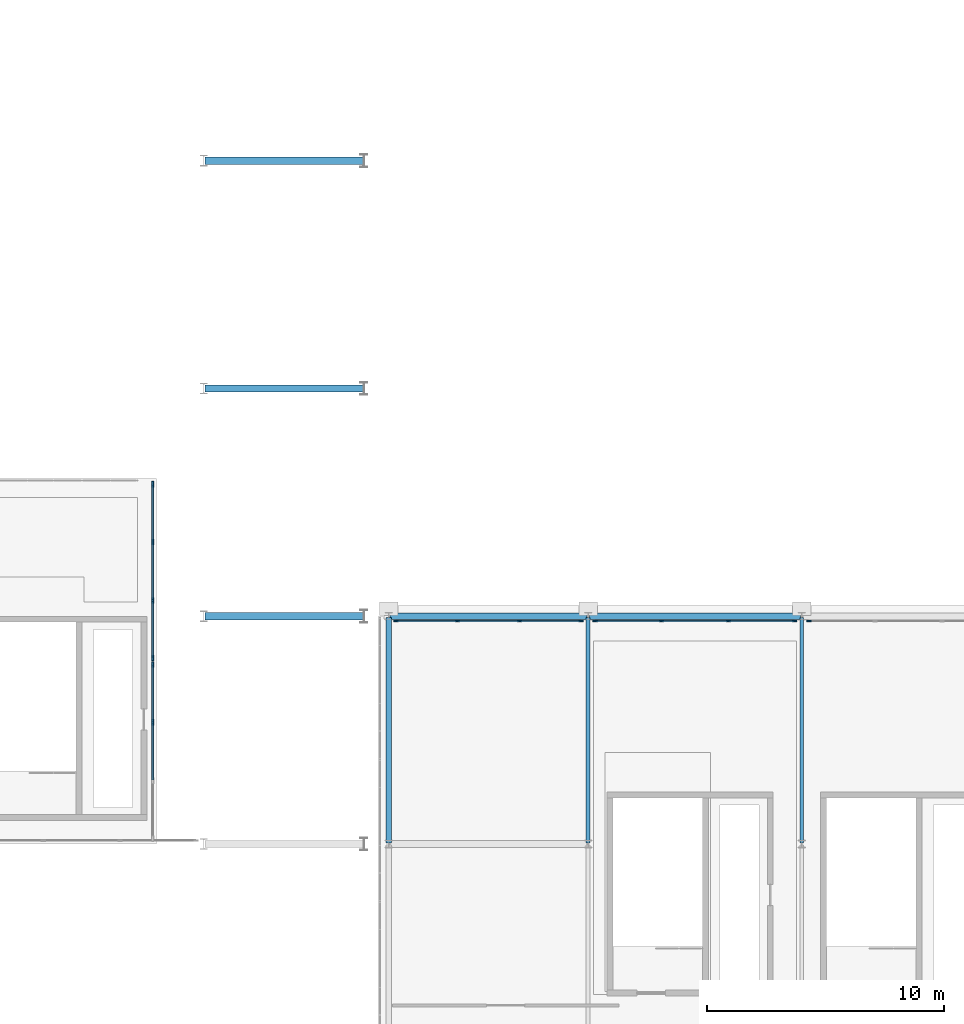
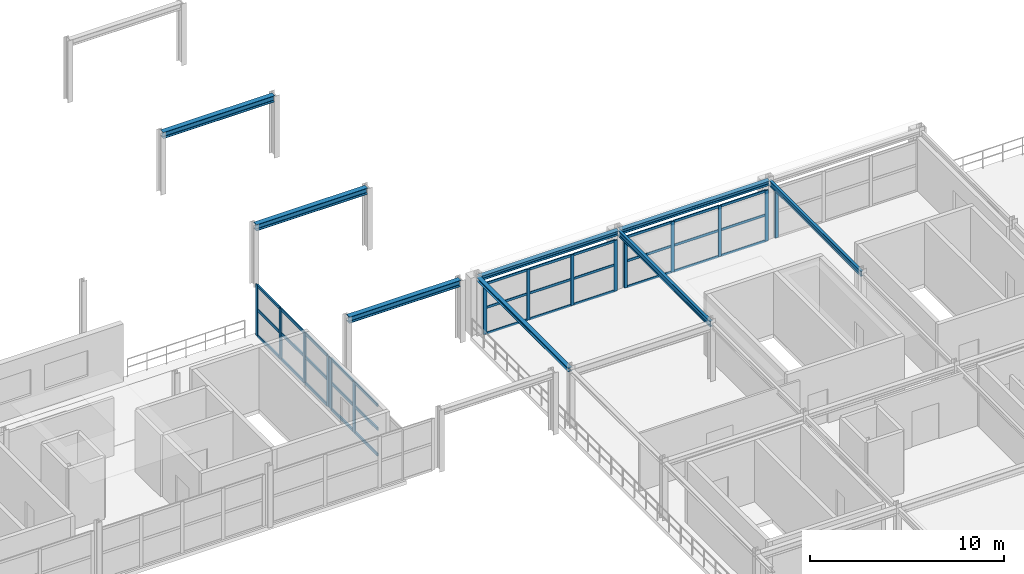
# One storey, part 18 of 52: 48 members, 8 beams, 5 elements without a shape of their own.
"""IFC4 building model written with IfcOpenShell, lengths in metres."""

from ifc_helpers import new_model, si_unit, direction, frame, origin, origin_2d, place, context, subcontext, project, spatial, rectangle, i_section, extrude, material, layer, layer_set, material_profile, profile_set, type_object, element, aggregate, save


model = new_model("IFC4")

# Units and contexts
model_context = context("Model", 3, precision=1e-05, world=origin(), true_north=direction((0.0, 1.0)))
body_context = subcontext(model_context, "Body", "Model", "MODEL_VIEW")
ifc_project = project(units=[si_unit("LENGTHUNIT", "METRE"), si_unit("AREAUNIT", "SQUARE_METRE"), si_unit("VOLUMEUNIT", "CUBIC_METRE"), si_unit("PLANEANGLEUNIT", "RADIAN"), si_unit("MASSUNIT", "GRAM", prefix="KILO")], contexts=[model_context])

# Site, building, storey
site_placement = place(None, origin())
site = spatial("IfcSite", under=ifc_project, at=site_placement, CompositionType="ELEMENT")
building_placement = place(site_placement, origin())
building = spatial("IfcBuilding", under=site, at=building_placement, Name="Myrtia Square Station", CompositionType="ELEMENT")
storey_placement = place(building_placement, frame((0.0, 0.0, 15.0)))
storey = spatial("IfcBuildingStorey", under=building, at=storey_placement, Name="L03", CompositionType="ELEMENT", Elevation=15.0)

# Beams
ifc_material_1 = material(Name="Steel S355", Category="steel")
ifc_material_profile_1 = material_profile(ifc_material_1, i_section(OverallWidth=0.300048828125, OverallDepth=0.39990234375, WebThickness=0.013427734375, FlangeThickness=0.02392578125, FilletRadius=0.027099609375, at=origin_2d()), Name="HEB 400")
ifc_profile_set_1 = profile_set([ifc_material_profile_1], Name="Steel S355")
beam_type_1 = type_object("IfcBeamType", Name="BM-HEB400", PredefinedType="BEAM", material=ifc_profile_set_1)
for number, where, z_axis, x_axis, name in (
    (1, (109.85009765625, 38.39990234375, 3.64990234375), (1.0, 0.0, 0.0), (0.0, 1.0, 0.0), "Colonnade overhang tie beam 005"),
    (2, (109.85009765625, 48.0, 3.64990234375), (1.0, 0.0, 0.0), (0.0, 1.0, 0.0), "Colonnade overhang tie beam 008"),
    (3, (109.85009765625, 57.60009765625, 3.64990234375), (1.0, 0.0, 0.0), (0.0, 1.0, 0.0), "Colonnade overhang tie beam 012"),
):
    element("IfcBeam", number, at=place(storey_placement, frame(where, z_axis=z_axis, x_axis=x_axis)), inside=storey, type_object=beam_type_1, Name=name, PredefinedType="BEAM", context=body_context, shape_type="SweptSolid", body=[
        extrude(i_section(OverallWidth=0.300048828125, OverallDepth=0.39990234375, WebThickness=0.013427734375, FlangeThickness=0.02392578125, FilletRadius=0.027099609375, at=origin_2d()), origin(), (0.0, 0.0, 1.0), 6.64990234375),
    ])
ifc_material_profile_2 = material_profile(ifc_material_1, i_section(OverallWidth=0.159912109375, OverallDepth=0.330078125, WebThickness=0.007568359375, FlangeThickness=0.011474609375, FilletRadius=0.01806640625, at=origin_2d()), Name="IPE 330")
ifc_profile_set_2 = profile_set([ifc_material_profile_2], Name="Steel S355")
beam_type_2 = type_object("IfcBeamType", Name="BM-IPE330", PredefinedType="BEAM", material=ifc_profile_set_2)
beam_1_placement = place(storey_placement, frame((135.0, 28.85009765625, 3.489990234375), z_axis=(0.0, 1.0, 0.0), x_axis=(-1.0, 0.0, 0.0)))
element("IfcBeam", 4, at=beam_1_placement, inside=storey, type_object=beam_type_2, Name="Structural girder BMY-L03-0821", PredefinedType="BEAM", context=body_context, shape_type="SweptSolid", body=[
    extrude(i_section(OverallWidth=0.159912109375, OverallDepth=0.330078125, WebThickness=0.007568359375, FlangeThickness=0.011474609375, FilletRadius=0.01806640625, at=origin_2d()), origin(), (0.0, 0.0, 1.0), 9.5),
])
ifc_material_profile_3 = material_profile(ifc_material_1, i_section(OverallWidth=0.169921875, OverallDepth=0.360107421875, WebThickness=0.008056640625, FlangeThickness=0.0126953125, FilletRadius=0.01806640625, at=origin_2d()), Name="IPE 360")
ifc_profile_set_3 = profile_set([ifc_material_profile_3], Name="Steel S355")
beam_type_3 = type_object("IfcBeamType", Name="BM-IPE360", PredefinedType="BEAM", material=ifc_profile_set_3)
beam_2_placement = place(storey_placement, frame((126.0, 28.85009765625, 3.47509765625), z_axis=(0.0, 1.0, 0.0), x_axis=(-1.0, 0.0, 0.0)))
element("IfcBeam", 5, at=beam_2_placement, inside=storey, type_object=beam_type_3, Name="Structural girder BMY-L03-0817", PredefinedType="BEAM", context=body_context, shape_type="SweptSolid", body=[
    extrude(i_section(OverallWidth=0.169921875, OverallDepth=0.360107421875, WebThickness=0.008056640625, FlangeThickness=0.0126953125, FilletRadius=0.01806640625, at=origin_2d()), origin(), (0.0, 0.0, 1.0), 9.5),
])

# Curtain wall, members
ifc_material_2 = material(Name="Dark bronze anodised aluminium", Category="aluminium")
ifc_layer_1 = layer(ifc_material_2, 0.159912109375, Name="Dark bronze anodised aluminium")
ifc_layer_set_1 = layer_set([ifc_layer_1], Name="Dark bronze anodised aluminium")
curtain_wall_type_1 = type_object("IfcCurtainWallType", Name="CW-TYPE-47-786x320", PredefinedType="USERDEFINED", material=ifc_layer_set_1)
curtain_wall_1_placement = place(storey_placement, origin())
curtain_wall_1 = element("IfcCurtainWall", 6, at=curtain_wall_1_placement, inside=storey, type_object=curtain_wall_type_1, Name="Concourse curtain wall CW-L03-155", ObjectType="CONCOURSE CURTAIN WALL", PredefinedType="USERDEFINED")
ifc_material_profile_4 = material_profile(ifc_material_2, rectangle(XDim=0.06494140625, YDim=0.199951171875, at=origin_2d()), Name="ALU-M 65x200")
ifc_profile_set_4 = profile_set([ifc_material_profile_4], Name="Dark bronze anodised aluminium")
member_type_1 = type_object("IfcMemberType", Name="CWM-65x200", PredefinedType="MULLION", material=ifc_profile_set_4)
member_1_placement = place(storey_placement, frame((117.902587890625, 38.199951171875, 0.0), z_axis=(0.0, 0.0, 1.0), x_axis=(0.0, 1.0, 0.0)))
member_1 = element("IfcMember", 7, at=member_1_placement, type_object=member_type_1, Name="CW-155 mullion 1", PredefinedType="MULLION", context=body_context, shape_type="SweptSolid", body=[
    extrude(rectangle(XDim=0.06494140625, YDim=0.199951171875, at=origin_2d()), origin(), (0.0, 0.0, 1.0), 3.199951171875),
])
member_2_placement = place(storey_placement, frame((120.489990234375, 38.199951171875, 0.0), z_axis=(0.0, 0.0, 1.0), x_axis=(0.0, 1.0, 0.0)))
member_2 = element("IfcMember", 8, at=member_2_placement, type_object=member_type_1, Name="CW-155 mullion 2", PredefinedType="MULLION", context=body_context, shape_type="SweptSolid", body=[
    extrude(rectangle(XDim=0.06494140625, YDim=0.199951171875, at=origin_2d()), origin(), (0.0, 0.0, 1.0), 3.199951171875),
])
member_3_placement = place(storey_placement, frame((123.110107421875, 38.199951171875, 0.0), z_axis=(0.0, 0.0, 1.0), x_axis=(0.0, 1.0, 0.0)))
member_3 = element("IfcMember", 9, at=member_3_placement, type_object=member_type_1, Name="CW-155 mullion 3", PredefinedType="MULLION", context=body_context, shape_type="SweptSolid", body=[
    extrude(rectangle(XDim=0.06494140625, YDim=0.199951171875, at=origin_2d()), origin(), (0.0, 0.0, 1.0), 3.199951171875),
])
member_4_placement = place(storey_placement, frame((125.697509765625, 38.199951171875, 0.0), z_axis=(0.0, 0.0, 1.0), x_axis=(0.0, 1.0, 0.0)))
member_4 = element("IfcMember", 10, at=member_4_placement, type_object=member_type_1, Name="CW-155 mullion 4", PredefinedType="MULLION", context=body_context, shape_type="SweptSolid", body=[
    extrude(rectangle(XDim=0.06494140625, YDim=0.199951171875, at=origin_2d()), origin(), (0.0, 0.0, 1.0), 3.199951171875),
])

ifc_layer_2 = layer(ifc_material_2, 0.159912109375, Name="Dark bronze anodised aluminium")
ifc_layer_set_2 = layer_set([ifc_layer_2], Name="Dark bronze anodised aluminium")
curtain_wall_type_2 = type_object("IfcCurtainWallType", Name="CW-TYPE-48-846x320", PredefinedType="USERDEFINED", material=ifc_layer_set_2)
curtain_wall_2_placement = place(storey_placement, origin())
curtain_wall_2 = element("IfcCurtainWall", 11, at=curtain_wall_2_placement, inside=storey, type_object=curtain_wall_type_2, Name="Concourse curtain wall CW-L03-156", ObjectType="CONCOURSE CURTAIN WALL", PredefinedType="USERDEFINED")
member_5_placement = place(storey_placement, frame((126.302490234375, 38.199951171875, 0.0), z_axis=(0.0, 0.0, 1.0), x_axis=(0.0, 1.0, 0.0)))
member_5 = element("IfcMember", 12, at=member_5_placement, type_object=member_type_1, Name="CW-156 mullion 1", PredefinedType="MULLION", context=body_context, shape_type="SweptSolid", body=[
    extrude(rectangle(XDim=0.06494140625, YDim=0.199951171875, at=origin_2d()), origin(), (0.0, 0.0, 1.0), 3.199951171875),
])
member_6_placement = place(storey_placement, frame((129.090087890625, 38.199951171875, 0.0), z_axis=(0.0, 0.0, 1.0), x_axis=(0.0, 1.0, 0.0)))
member_6 = element("IfcMember", 13, at=member_6_placement, type_object=member_type_1, Name="CW-156 mullion 2", PredefinedType="MULLION", context=body_context, shape_type="SweptSolid", body=[
    extrude(rectangle(XDim=0.06494140625, YDim=0.199951171875, at=origin_2d()), origin(), (0.0, 0.0, 1.0), 3.199951171875),
])
member_7_placement = place(storey_placement, frame((131.909912109375, 38.199951171875, 0.0), z_axis=(0.0, 0.0, 1.0), x_axis=(0.0, 1.0, 0.0)))
member_7 = element("IfcMember", 14, at=member_7_placement, type_object=member_type_1, Name="CW-156 mullion 3", PredefinedType="MULLION", context=body_context, shape_type="SweptSolid", body=[
    extrude(rectangle(XDim=0.06494140625, YDim=0.199951171875, at=origin_2d()), origin(), (0.0, 0.0, 1.0), 3.199951171875),
])
member_8_placement = place(storey_placement, frame((134.697509765625, 38.199951171875, 0.0), z_axis=(0.0, 0.0, 1.0), x_axis=(0.0, 1.0, 0.0)))
member_8 = element("IfcMember", 15, at=member_8_placement, type_object=member_type_1, Name="CW-156 mullion 4", PredefinedType="MULLION", context=body_context, shape_type="SweptSolid", body=[
    extrude(rectangle(XDim=0.06494140625, YDim=0.199951171875, at=origin_2d()), origin(), (0.0, 0.0, 1.0), 3.199951171875),
])

# Curtain wall, member
curtain_wall_3_placement = place(storey_placement, origin())
curtain_wall_3 = element("IfcCurtainWall", 16, at=curtain_wall_3_placement, inside=storey, type_object=curtain_wall_type_2, Name="Concourse curtain wall CW-L03-157", ObjectType="CONCOURSE CURTAIN WALL", PredefinedType="USERDEFINED")
member_9_placement = place(storey_placement, frame((135.302490234375, 38.199951171875, 0.0), z_axis=(0.0, 0.0, 1.0), x_axis=(0.0, 1.0, 0.0)))
member_9 = element("IfcMember", 17, at=member_9_placement, type_object=member_type_1, Name="CW-157 mullion 1", PredefinedType="MULLION", context=body_context, shape_type="SweptSolid", body=[
    extrude(rectangle(XDim=0.06494140625, YDim=0.199951171875, at=origin_2d()), origin(), (0.0, 0.0, 1.0), 3.199951171875),
])
aggregate(curtain_wall_3, [member_9])

# Curtain wall, members
ifc_layer_3 = layer(ifc_material_2, 0.159912109375, Name="Dark bronze anodised aluminium")
ifc_layer_set_3 = layer_set([ifc_layer_3], Name="Dark bronze anodised aluminium")
curtain_wall_type_3 = type_object("IfcCurtainWallType", Name="CW-TYPE-08-740x320", PredefinedType="USERDEFINED", material=ifc_layer_set_3)
curtain_wall_4_placement = place(storey_placement, origin())
curtain_wall_4 = element("IfcCurtainWall", 18, at=curtain_wall_4_placement, inside=storey, type_object=curtain_wall_type_3, Name="Concourse curtain wall CW-L03-034", ObjectType="CONCOURSE CURTAIN WALL", PredefinedType="USERDEFINED")
ifc_material_profile_5 = material_profile(ifc_material_2, rectangle(XDim=0.074951171875, YDim=0.239990234375, at=origin_2d()), Name="ALU-M 75x240")
ifc_profile_set_5 = profile_set([ifc_material_profile_5], Name="Dark bronze anodised aluminium")
member_type_2 = type_object("IfcMemberType", Name="CWM-75x240", PredefinedType="MULLION", material=ifc_profile_set_5)
member_10_placement = place(storey_placement, frame((107.64990234375, 33.933349609375, 0.0), z_axis=(0.0, 0.0, 1.0), x_axis=(-1.0, 0.0, 0.0)))
member_10 = element("IfcMember", 19, at=member_10_placement, type_object=member_type_2, Name="CW-034 mullion 3", PredefinedType="MULLION", context=body_context, shape_type="SweptSolid", body=[
    extrude(rectangle(XDim=0.074951171875, YDim=0.239990234375, at=origin_2d()), origin(), (0.0, 0.0, 1.0), 3.199951171875),
])
member_11_placement = place(storey_placement, frame((107.64990234375, 36.362548828125, 0.0), z_axis=(0.0, 0.0, 1.0), x_axis=(-1.0, 0.0, 0.0)))
member_11 = element("IfcMember", 20, at=member_11_placement, type_object=member_type_2, Name="CW-034 mullion 4", PredefinedType="MULLION", context=body_context, shape_type="SweptSolid", body=[
    extrude(rectangle(XDim=0.074951171875, YDim=0.239990234375, at=origin_2d()), origin(), (0.0, 0.0, 1.0), 3.199951171875),
])

curtain_wall_5_placement = place(storey_placement, origin())
curtain_wall_5 = element("IfcCurtainWall", 21, at=curtain_wall_5_placement, inside=storey, type_object=curtain_wall_type_3, Name="Concourse curtain wall CW-L03-036", ObjectType="CONCOURSE CURTAIN WALL", PredefinedType="USERDEFINED")
member_12_placement = place(storey_placement, frame((107.64990234375, 36.637451171875, 0.0), z_axis=(0.0, 0.0, 1.0), x_axis=(-1.0, 0.0, 0.0)))
member_12 = element("IfcMember", 22, at=member_12_placement, type_object=member_type_2, Name="CW-036 mullion 1", PredefinedType="MULLION", context=body_context, shape_type="SweptSolid", body=[
    extrude(rectangle(XDim=0.074951171875, YDim=0.239990234375, at=origin_2d()), origin(), (0.0, 0.0, 1.0), 3.199951171875),
])
member_13_placement = place(storey_placement, frame((107.64990234375, 39.066650390625, 0.0), z_axis=(0.0, 0.0, 1.0), x_axis=(-1.0, 0.0, 0.0)))
member_13 = element("IfcMember", 23, at=member_13_placement, type_object=member_type_2, Name="CW-036 mullion 2", PredefinedType="MULLION", context=body_context, shape_type="SweptSolid", body=[
    extrude(rectangle(XDim=0.074951171875, YDim=0.239990234375, at=origin_2d()), origin(), (0.0, 0.0, 1.0), 3.199951171875),
])
member_14_placement = place(storey_placement, frame((107.64990234375, 41.533447265625, 0.0), z_axis=(0.0, 0.0, 1.0), x_axis=(-1.0, 0.0, 0.0)))
member_14 = element("IfcMember", 24, at=member_14_placement, type_object=member_type_2, Name="CW-036 mullion 3", PredefinedType="MULLION", context=body_context, shape_type="SweptSolid", body=[
    extrude(rectangle(XDim=0.074951171875, YDim=0.239990234375, at=origin_2d()), origin(), (0.0, 0.0, 1.0), 3.199951171875),
])
member_15_placement = place(storey_placement, frame((107.64990234375, 43.96240234375, 0.0), z_axis=(0.0, 0.0, 1.0), x_axis=(-1.0, 0.0, 0.0)))
member_15 = element("IfcMember", 25, at=member_15_placement, type_object=member_type_2, Name="CW-036 mullion 4", PredefinedType="MULLION", context=body_context, shape_type="SweptSolid", body=[
    extrude(rectangle(XDim=0.074951171875, YDim=0.239990234375, at=origin_2d()), origin(), (0.0, 0.0, 1.0), 3.199951171875),
])

# Member
ifc_material_profile_6 = material_profile(ifc_material_2, rectangle(XDim=0.06494140625, YDim=0.14990234375, at=origin_2d()), Name="ALU-T 65x150")
ifc_profile_set_6 = profile_set([ifc_material_profile_6], Name="Dark bronze anodised aluminium")
member_type_3 = type_object("IfcMemberType", Name="CWT-65x150", PredefinedType="USERDEFINED", material=ifc_profile_set_6)
member_16_placement = place(storey_placement, frame((117.93505859375, 38.199951171875, 0.032470703125), z_axis=(1.0, 0.0, 0.0), x_axis=(0.0, 1.0, 0.0)))
member_16 = element("IfcMember", 26, at=member_16_placement, type_object=member_type_3, Name="CW-155 transom 1.1", ObjectType="TRANSOM", PredefinedType="USERDEFINED", context=body_context, shape_type="SweptSolid", body=[
    extrude(rectangle(XDim=0.06494140625, YDim=0.14990234375, at=origin_2d()), origin(), (0.0, 0.0, 1.0), 2.5224609375),
])

member_17_placement = place(storey_placement, frame((117.93505859375, 38.199951171875, 1.6640625), z_axis=(1.0, 0.0, 0.0), x_axis=(0.0, 1.0, 0.0)))
member_17 = element("IfcMember", 27, at=member_17_placement, type_object=member_type_3, Name="CW-155 transom 1.2", ObjectType="TRANSOM", PredefinedType="USERDEFINED", context=body_context, shape_type="SweptSolid", body=[
    extrude(rectangle(XDim=0.06494140625, YDim=0.14990234375, at=origin_2d()), origin(), (0.0, 0.0, 1.0), 2.5224609375),
])

member_18_placement = place(storey_placement, frame((117.93505859375, 38.199951171875, 3.16748046875), z_axis=(1.0, 0.0, 0.0), x_axis=(0.0, 1.0, 0.0)))
member_18 = element("IfcMember", 28, at=member_18_placement, type_object=member_type_3, Name="CW-155 transom 1.3", ObjectType="TRANSOM", PredefinedType="USERDEFINED", context=body_context, shape_type="SweptSolid", body=[
    extrude(rectangle(XDim=0.06494140625, YDim=0.14990234375, at=origin_2d()), origin(), (0.0, 0.0, 1.0), 2.5224609375),
])

member_19_placement = place(storey_placement, frame((120.5224609375, 38.199951171875, 0.032470703125), z_axis=(1.0, 0.0, 0.0), x_axis=(0.0, 1.0, 0.0)))
member_19 = element("IfcMember", 29, at=member_19_placement, type_object=member_type_3, Name="CW-155 transom 2.1", ObjectType="TRANSOM", PredefinedType="USERDEFINED", context=body_context, shape_type="SweptSolid", body=[
    extrude(rectangle(XDim=0.06494140625, YDim=0.14990234375, at=origin_2d()), origin(), (0.0, 0.0, 1.0), 2.554931640625),
])

member_20_placement = place(storey_placement, frame((120.5224609375, 38.199951171875, 1.6640625), z_axis=(1.0, 0.0, 0.0), x_axis=(0.0, 1.0, 0.0)))
member_20 = element("IfcMember", 30, at=member_20_placement, type_object=member_type_3, Name="CW-155 transom 2.2", ObjectType="TRANSOM", PredefinedType="USERDEFINED", context=body_context, shape_type="SweptSolid", body=[
    extrude(rectangle(XDim=0.06494140625, YDim=0.14990234375, at=origin_2d()), origin(), (0.0, 0.0, 1.0), 2.554931640625),
])

member_21_placement = place(storey_placement, frame((120.5224609375, 38.199951171875, 3.16748046875), z_axis=(1.0, 0.0, 0.0), x_axis=(0.0, 1.0, 0.0)))
member_21 = element("IfcMember", 31, at=member_21_placement, type_object=member_type_3, Name="CW-155 transom 2.3", ObjectType="TRANSOM", PredefinedType="USERDEFINED", context=body_context, shape_type="SweptSolid", body=[
    extrude(rectangle(XDim=0.06494140625, YDim=0.14990234375, at=origin_2d()), origin(), (0.0, 0.0, 1.0), 2.554931640625),
])

member_22_placement = place(storey_placement, frame((123.142578125, 38.199951171875, 0.032470703125), z_axis=(1.0, 0.0, 0.0), x_axis=(0.0, 1.0, 0.0)))
member_22 = element("IfcMember", 32, at=member_22_placement, type_object=member_type_3, Name="CW-155 transom 3.1", ObjectType="TRANSOM", PredefinedType="USERDEFINED", context=body_context, shape_type="SweptSolid", body=[
    extrude(rectangle(XDim=0.06494140625, YDim=0.14990234375, at=origin_2d()), origin(), (0.0, 0.0, 1.0), 2.5224609375),
])

member_23_placement = place(storey_placement, frame((123.142578125, 38.199951171875, 1.6640625), z_axis=(1.0, 0.0, 0.0), x_axis=(0.0, 1.0, 0.0)))
member_23 = element("IfcMember", 33, at=member_23_placement, type_object=member_type_3, Name="CW-155 transom 3.2", ObjectType="TRANSOM", PredefinedType="USERDEFINED", context=body_context, shape_type="SweptSolid", body=[
    extrude(rectangle(XDim=0.06494140625, YDim=0.14990234375, at=origin_2d()), origin(), (0.0, 0.0, 1.0), 2.5224609375),
])

member_24_placement = place(storey_placement, frame((123.142578125, 38.199951171875, 3.16748046875), z_axis=(1.0, 0.0, 0.0), x_axis=(0.0, 1.0, 0.0)))
member_24 = element("IfcMember", 34, at=member_24_placement, type_object=member_type_3, Name="CW-155 transom 3.3", ObjectType="TRANSOM", PredefinedType="USERDEFINED", context=body_context, shape_type="SweptSolid", body=[
    extrude(rectangle(XDim=0.06494140625, YDim=0.14990234375, at=origin_2d()), origin(), (0.0, 0.0, 1.0), 2.5224609375),
])

aggregate(curtain_wall_1, [member_1, member_2, member_3, member_4, member_16, member_17, member_18, member_19, member_20, member_21, member_22, member_23, member_24])

member_25_placement = place(storey_placement, frame((126.3349609375, 38.199951171875, 0.032470703125), z_axis=(1.0, 0.0, 0.0), x_axis=(0.0, 1.0, 0.0)))
member_25 = element("IfcMember", 35, at=member_25_placement, type_object=member_type_3, Name="CW-156 transom 1.1", ObjectType="TRANSOM", PredefinedType="USERDEFINED", context=body_context, shape_type="SweptSolid", body=[
    extrude(rectangle(XDim=0.06494140625, YDim=0.14990234375, at=origin_2d()), origin(), (0.0, 0.0, 1.0), 2.72265625),
])

member_26_placement = place(storey_placement, frame((126.3349609375, 38.199951171875, 1.6640625), z_axis=(1.0, 0.0, 0.0), x_axis=(0.0, 1.0, 0.0)))
member_26 = element("IfcMember", 36, at=member_26_placement, type_object=member_type_3, Name="CW-156 transom 1.2", ObjectType="TRANSOM", PredefinedType="USERDEFINED", context=body_context, shape_type="SweptSolid", body=[
    extrude(rectangle(XDim=0.06494140625, YDim=0.14990234375, at=origin_2d()), origin(), (0.0, 0.0, 1.0), 2.72265625),
])

member_27_placement = place(storey_placement, frame((126.3349609375, 38.199951171875, 3.16748046875), z_axis=(1.0, 0.0, 0.0), x_axis=(0.0, 1.0, 0.0)))
member_27 = element("IfcMember", 37, at=member_27_placement, type_object=member_type_3, Name="CW-156 transom 1.3", ObjectType="TRANSOM", PredefinedType="USERDEFINED", context=body_context, shape_type="SweptSolid", body=[
    extrude(rectangle(XDim=0.06494140625, YDim=0.14990234375, at=origin_2d()), origin(), (0.0, 0.0, 1.0), 2.72265625),
])

member_28_placement = place(storey_placement, frame((129.12255859375, 38.199951171875, 0.032470703125), z_axis=(1.0, 0.0, 0.0), x_axis=(0.0, 1.0, 0.0)))
member_28 = element("IfcMember", 38, at=member_28_placement, type_object=member_type_3, Name="CW-156 transom 2.1", ObjectType="TRANSOM", PredefinedType="USERDEFINED", context=body_context, shape_type="SweptSolid", body=[
    extrude(rectangle(XDim=0.06494140625, YDim=0.14990234375, at=origin_2d()), origin(), (0.0, 0.0, 1.0), 2.7548828125),
])

member_29_placement = place(storey_placement, frame((129.12255859375, 38.199951171875, 1.6640625), z_axis=(1.0, 0.0, 0.0), x_axis=(0.0, 1.0, 0.0)))
member_29 = element("IfcMember", 39, at=member_29_placement, type_object=member_type_3, Name="CW-156 transom 2.2", ObjectType="TRANSOM", PredefinedType="USERDEFINED", context=body_context, shape_type="SweptSolid", body=[
    extrude(rectangle(XDim=0.06494140625, YDim=0.14990234375, at=origin_2d()), origin(), (0.0, 0.0, 1.0), 2.7548828125),
])

member_30_placement = place(storey_placement, frame((129.12255859375, 38.199951171875, 3.16748046875), z_axis=(1.0, 0.0, 0.0), x_axis=(0.0, 1.0, 0.0)))
member_30 = element("IfcMember", 40, at=member_30_placement, type_object=member_type_3, Name="CW-156 transom 2.3", ObjectType="TRANSOM", PredefinedType="USERDEFINED", context=body_context, shape_type="SweptSolid", body=[
    extrude(rectangle(XDim=0.06494140625, YDim=0.14990234375, at=origin_2d()), origin(), (0.0, 0.0, 1.0), 2.7548828125),
])

member_31_placement = place(storey_placement, frame((131.9423828125, 38.199951171875, 0.032470703125), z_axis=(1.0, 0.0, 0.0), x_axis=(0.0, 1.0, 0.0)))
member_31 = element("IfcMember", 41, at=member_31_placement, type_object=member_type_3, Name="CW-156 transom 3.1", ObjectType="TRANSOM", PredefinedType="USERDEFINED", context=body_context, shape_type="SweptSolid", body=[
    extrude(rectangle(XDim=0.06494140625, YDim=0.14990234375, at=origin_2d()), origin(), (0.0, 0.0, 1.0), 2.72265625),
])

member_32_placement = place(storey_placement, frame((131.9423828125, 38.199951171875, 1.6640625), z_axis=(1.0, 0.0, 0.0), x_axis=(0.0, 1.0, 0.0)))
member_32 = element("IfcMember", 42, at=member_32_placement, type_object=member_type_3, Name="CW-156 transom 3.2", ObjectType="TRANSOM", PredefinedType="USERDEFINED", context=body_context, shape_type="SweptSolid", body=[
    extrude(rectangle(XDim=0.06494140625, YDim=0.14990234375, at=origin_2d()), origin(), (0.0, 0.0, 1.0), 2.72265625),
])

member_33_placement = place(storey_placement, frame((131.9423828125, 38.199951171875, 3.16748046875), z_axis=(1.0, 0.0, 0.0), x_axis=(0.0, 1.0, 0.0)))
member_33 = element("IfcMember", 43, at=member_33_placement, type_object=member_type_3, Name="CW-156 transom 3.3", ObjectType="TRANSOM", PredefinedType="USERDEFINED", context=body_context, shape_type="SweptSolid", body=[
    extrude(rectangle(XDim=0.06494140625, YDim=0.14990234375, at=origin_2d()), origin(), (0.0, 0.0, 1.0), 2.72265625),
])

aggregate(curtain_wall_2, [member_5, member_6, member_7, member_8, member_25, member_26, member_27, member_28, member_29, member_30, member_31, member_32, member_33])

ifc_material_profile_7 = material_profile(ifc_material_2, rectangle(XDim=0.074951171875, YDim=0.179931640625, at=origin_2d()), Name="ALU-T 75x180")
ifc_profile_set_7 = profile_set([ifc_material_profile_7], Name="Dark bronze anodised aluminium")
member_type_4 = type_object("IfcMemberType", Name="CWT-75x180", PredefinedType="USERDEFINED", material=ifc_profile_set_7)
member_34_placement = place(storey_placement, frame((107.64990234375, 31.504150390625, 0.03759765625), z_axis=(0.0, 1.0, 0.0), x_axis=(-1.0, 0.0, 0.0)))
member_34 = element("IfcMember", 44, at=member_34_placement, type_object=member_type_4, Name="CW-034 transom 2.1", ObjectType="TRANSOM", PredefinedType="USERDEFINED", context=body_context, shape_type="SweptSolid", body=[
    extrude(rectangle(XDim=0.074951171875, YDim=0.179931640625, at=origin_2d()), origin(), (0.0, 0.0, 1.0), 2.3916015625),
])

member_35_placement = place(storey_placement, frame((107.64990234375, 31.504150390625, 1.6640625), z_axis=(0.0, 1.0, 0.0), x_axis=(-1.0, 0.0, 0.0)))
member_35 = element("IfcMember", 45, at=member_35_placement, type_object=member_type_4, Name="CW-034 transom 2.2", ObjectType="TRANSOM", PredefinedType="USERDEFINED", context=body_context, shape_type="SweptSolid", body=[
    extrude(rectangle(XDim=0.074951171875, YDim=0.179931640625, at=origin_2d()), origin(), (0.0, 0.0, 1.0), 2.3916015625),
])

member_36_placement = place(storey_placement, frame((107.64990234375, 31.504150390625, 3.16259765625), z_axis=(0.0, 1.0, 0.0), x_axis=(-1.0, 0.0, 0.0)))
member_36 = element("IfcMember", 46, at=member_36_placement, type_object=member_type_4, Name="CW-034 transom 2.3", ObjectType="TRANSOM", PredefinedType="USERDEFINED", context=body_context, shape_type="SweptSolid", body=[
    extrude(rectangle(XDim=0.074951171875, YDim=0.179931640625, at=origin_2d()), origin(), (0.0, 0.0, 1.0), 2.3916015625),
])

member_37_placement = place(storey_placement, frame((107.64990234375, 33.970947265625, 0.03759765625), z_axis=(0.0, 1.0, 0.0), x_axis=(-1.0, 0.0, 0.0)))
member_37 = element("IfcMember", 47, at=member_37_placement, type_object=member_type_4, Name="CW-034 transom 3.1", ObjectType="TRANSOM", PredefinedType="USERDEFINED", context=body_context, shape_type="SweptSolid", body=[
    extrude(rectangle(XDim=0.074951171875, YDim=0.179931640625, at=origin_2d()), origin(), (0.0, 0.0, 1.0), 2.35400390625),
])

member_38_placement = place(storey_placement, frame((107.64990234375, 33.970947265625, 1.6640625), z_axis=(0.0, 1.0, 0.0), x_axis=(-1.0, 0.0, 0.0)))
member_38 = element("IfcMember", 48, at=member_38_placement, type_object=member_type_4, Name="CW-034 transom 3.2", ObjectType="TRANSOM", PredefinedType="USERDEFINED", context=body_context, shape_type="SweptSolid", body=[
    extrude(rectangle(XDim=0.074951171875, YDim=0.179931640625, at=origin_2d()), origin(), (0.0, 0.0, 1.0), 2.35400390625),
])

member_39_placement = place(storey_placement, frame((107.64990234375, 33.970947265625, 3.16259765625), z_axis=(0.0, 1.0, 0.0), x_axis=(-1.0, 0.0, 0.0)))
member_39 = element("IfcMember", 49, at=member_39_placement, type_object=member_type_4, Name="CW-034 transom 3.3", ObjectType="TRANSOM", PredefinedType="USERDEFINED", context=body_context, shape_type="SweptSolid", body=[
    extrude(rectangle(XDim=0.074951171875, YDim=0.179931640625, at=origin_2d()), origin(), (0.0, 0.0, 1.0), 2.35400390625),
])

aggregate(curtain_wall_4, [member_10, member_11, member_34, member_35, member_36, member_37, member_38, member_39])

member_40_placement = place(storey_placement, frame((107.64990234375, 36.675048828125, 0.03759765625), z_axis=(0.0, 1.0, 0.0), x_axis=(-1.0, 0.0, 0.0)))
member_40 = element("IfcMember", 50, at=member_40_placement, type_object=member_type_4, Name="CW-036 transom 1.1", ObjectType="TRANSOM", PredefinedType="USERDEFINED", context=body_context, shape_type="SweptSolid", body=[
    extrude(rectangle(XDim=0.074951171875, YDim=0.179931640625, at=origin_2d()), origin(), (0.0, 0.0, 1.0), 2.35400390625),
])

member_41_placement = place(storey_placement, frame((107.64990234375, 36.675048828125, 1.6640625), z_axis=(0.0, 1.0, 0.0), x_axis=(-1.0, 0.0, 0.0)))
member_41 = element("IfcMember", 51, at=member_41_placement, type_object=member_type_4, Name="CW-036 transom 1.2", ObjectType="TRANSOM", PredefinedType="USERDEFINED", context=body_context, shape_type="SweptSolid", body=[
    extrude(rectangle(XDim=0.074951171875, YDim=0.179931640625, at=origin_2d()), origin(), (0.0, 0.0, 1.0), 2.35400390625),
])

member_42_placement = place(storey_placement, frame((107.64990234375, 36.675048828125, 3.16259765625), z_axis=(0.0, 1.0, 0.0), x_axis=(-1.0, 0.0, 0.0)))
member_42 = element("IfcMember", 52, at=member_42_placement, type_object=member_type_4, Name="CW-036 transom 1.3", ObjectType="TRANSOM", PredefinedType="USERDEFINED", context=body_context, shape_type="SweptSolid", body=[
    extrude(rectangle(XDim=0.074951171875, YDim=0.179931640625, at=origin_2d()), origin(), (0.0, 0.0, 1.0), 2.35400390625),
])

member_43_placement = place(storey_placement, frame((107.64990234375, 39.104248046875, 0.03759765625), z_axis=(0.0, 1.0, 0.0), x_axis=(-1.0, 0.0, 0.0)))
member_43 = element("IfcMember", 53, at=member_43_placement, type_object=member_type_4, Name="CW-036 transom 2.1", ObjectType="TRANSOM", PredefinedType="USERDEFINED", context=body_context, shape_type="SweptSolid", body=[
    extrude(rectangle(XDim=0.074951171875, YDim=0.179931640625, at=origin_2d()), origin(), (0.0, 0.0, 1.0), 2.3916015625),
])

member_44_placement = place(storey_placement, frame((107.64990234375, 39.104248046875, 1.6640625), z_axis=(0.0, 1.0, 0.0), x_axis=(-1.0, 0.0, 0.0)))
member_44 = element("IfcMember", 54, at=member_44_placement, type_object=member_type_4, Name="CW-036 transom 2.2", ObjectType="TRANSOM", PredefinedType="USERDEFINED", context=body_context, shape_type="SweptSolid", body=[
    extrude(rectangle(XDim=0.074951171875, YDim=0.179931640625, at=origin_2d()), origin(), (0.0, 0.0, 1.0), 2.3916015625),
])

member_45_placement = place(storey_placement, frame((107.64990234375, 39.104248046875, 3.16259765625), z_axis=(0.0, 1.0, 0.0), x_axis=(-1.0, 0.0, 0.0)))
member_45 = element("IfcMember", 55, at=member_45_placement, type_object=member_type_4, Name="CW-036 transom 2.3", ObjectType="TRANSOM", PredefinedType="USERDEFINED", context=body_context, shape_type="SweptSolid", body=[
    extrude(rectangle(XDim=0.074951171875, YDim=0.179931640625, at=origin_2d()), origin(), (0.0, 0.0, 1.0), 2.3916015625),
])

member_46_placement = place(storey_placement, frame((107.64990234375, 41.57080078125, 0.03759765625), z_axis=(0.0, 1.0, 0.0), x_axis=(-1.0, 0.0, 0.0)))
member_46 = element("IfcMember", 56, at=member_46_placement, type_object=member_type_4, Name="CW-036 transom 3.1", ObjectType="TRANSOM", PredefinedType="USERDEFINED", context=body_context, shape_type="SweptSolid", body=[
    extrude(rectangle(XDim=0.074951171875, YDim=0.179931640625, at=origin_2d()), origin(), (0.0, 0.0, 1.0), 2.354248046875),
])

member_47_placement = place(storey_placement, frame((107.64990234375, 41.57080078125, 1.6640625), z_axis=(0.0, 1.0, 0.0), x_axis=(-1.0, 0.0, 0.0)))
member_47 = element("IfcMember", 57, at=member_47_placement, type_object=member_type_4, Name="CW-036 transom 3.2", ObjectType="TRANSOM", PredefinedType="USERDEFINED", context=body_context, shape_type="SweptSolid", body=[
    extrude(rectangle(XDim=0.074951171875, YDim=0.179931640625, at=origin_2d()), origin(), (0.0, 0.0, 1.0), 2.354248046875),
])

member_48_placement = place(storey_placement, frame((107.64990234375, 41.57080078125, 3.16259765625), z_axis=(0.0, 1.0, 0.0), x_axis=(-1.0, 0.0, 0.0)))
member_48 = element("IfcMember", 58, at=member_48_placement, type_object=member_type_4, Name="CW-036 transom 3.3", ObjectType="TRANSOM", PredefinedType="USERDEFINED", context=body_context, shape_type="SweptSolid", body=[
    extrude(rectangle(XDim=0.074951171875, YDim=0.179931640625, at=origin_2d()), origin(), (0.0, 0.0, 1.0), 2.354248046875),
])

aggregate(curtain_wall_5, [member_12, member_13, member_14, member_15, member_40, member_41, member_42, member_43, member_44, member_45, member_46, member_47, member_48])

# Beams
ifc_material_profile_8 = material_profile(ifc_material_1, i_section(OverallWidth=0.239990234375, OverallDepth=0.239990234375, WebThickness=0.010009765625, FlangeThickness=0.01708984375, FilletRadius=0.02099609375, at=origin_2d()), Name="HEB 240")
ifc_profile_set_8 = profile_set([ifc_material_profile_8], Name="Steel S355")
beam_type_4 = type_object("IfcBeamType", Name="SPN-HEB240", PredefinedType="SPANDREL", material=ifc_profile_set_8)
beam_3_placement = place(storey_placement, frame((117.60009765625, 28.85009765625, 3.534912109375), z_axis=(0.0, 1.0, 0.0), x_axis=(-1.0, 0.0, 0.0)))
element("IfcBeam", 59, at=beam_3_placement, inside=storey, type_object=beam_type_4, Name="Structural girder SPNY-L03-0234", PredefinedType="SPANDREL", context=body_context, shape_type="SweptSolid", body=[
    extrude(i_section(OverallWidth=0.239990234375, OverallDepth=0.239990234375, WebThickness=0.010009765625, FlangeThickness=0.01708984375, FilletRadius=0.02099609375, at=origin_2d()), origin(), (0.0, 0.0, 1.0), 9.5),
])
ifc_material_profile_9 = material_profile(ifc_material_1, i_section(OverallWidth=0.280029296875, OverallDepth=0.280029296875, WebThickness=0.010498046875, FlangeThickness=0.01806640625, FilletRadius=0.02392578125, at=origin_2d()), Name="HEB 280")
ifc_profile_set_9 = profile_set([ifc_material_profile_9], Name="Steel S355")
beam_type_5 = type_object("IfcBeamType", Name="SPN-HEB280", PredefinedType="SPANDREL", material=ifc_profile_set_9)
beam_4_placement = place(storey_placement, frame((117.64990234375, 38.39990234375, 3.514892578125), z_axis=(1.0, 0.0, 0.0), x_axis=(0.0, 1.0, 0.0)))
element("IfcBeam", 60, at=beam_4_placement, inside=storey, type_object=beam_type_5, Name="Structural girder SPN-L03-0228", PredefinedType="SPANDREL", context=body_context, shape_type="SweptSolid", body=[
    extrude(i_section(OverallWidth=0.280029296875, OverallDepth=0.280029296875, WebThickness=0.010498046875, FlangeThickness=0.01806640625, FilletRadius=0.02392578125, at=origin_2d()), origin(), (0.0, 0.0, 1.0), 8.300048828125),
])
beam_5_placement = place(storey_placement, frame((126.050048828125, 38.39990234375, 3.514892578125), z_axis=(1.0, 0.0, 0.0), x_axis=(0.0, 1.0, 0.0)))
element("IfcBeam", 61, at=beam_5_placement, inside=storey, type_object=beam_type_5, Name="Structural girder SPN-L03-0229", PredefinedType="SPANDREL", context=body_context, shape_type="SweptSolid", body=[
    extrude(i_section(OverallWidth=0.280029296875, OverallDepth=0.280029296875, WebThickness=0.010498046875, FlangeThickness=0.01806640625, FilletRadius=0.02392578125, at=origin_2d()), origin(), (0.0, 0.0, 1.0), 8.89990234375),
])

save(model, "model.ifc")
